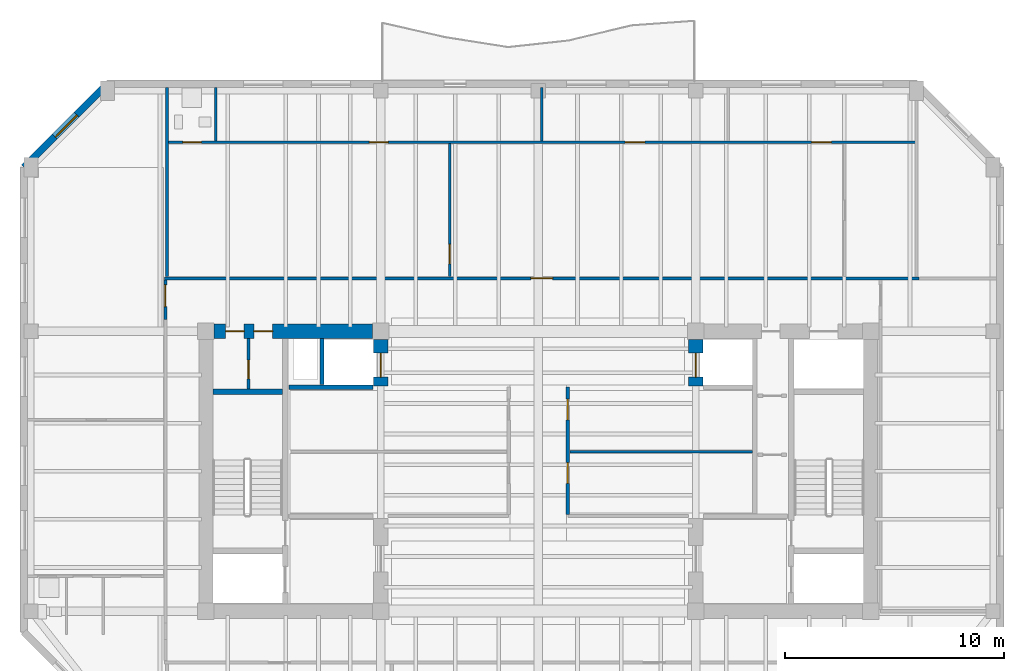
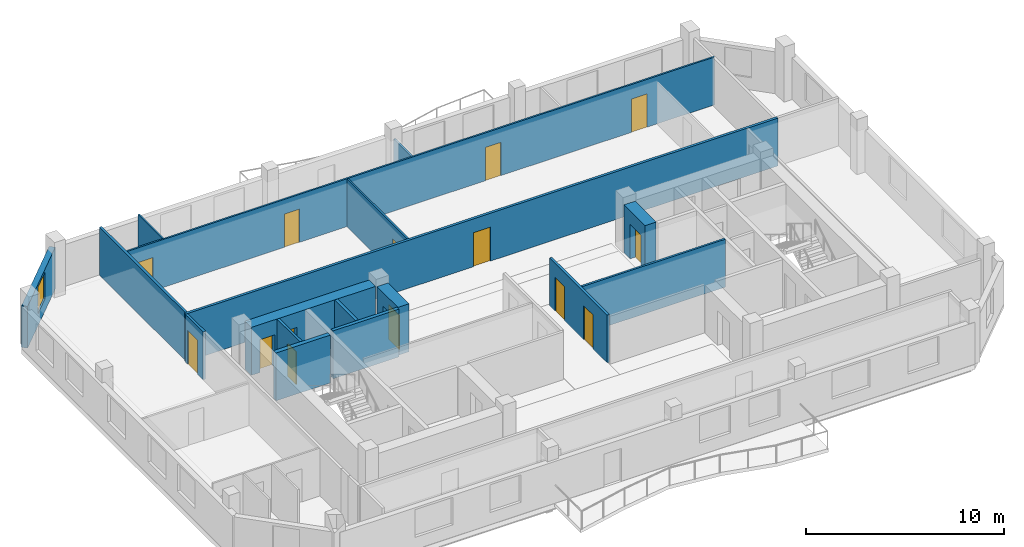
# One storey, part 4 of 10: 17 walls, 14 doors, 1 window, 15 openings.
"""IFC4 building model written with IfcOpenShell, lengths in metres."""

from ifc_helpers import new_model, si_unit, direction, frame, frame_2d, origin, place, context, subcontext, project, spatial, rectangle, extrude, material, layer, layer_set, type_object, element, fill, save


model = new_model("IFC4")

# Units and contexts
model_context = context("Model", 3, precision=1e-05, world=origin(), true_north=direction((0.0, 1.0)))
body_context = subcontext(model_context, "Body", "Model", "MODEL_VIEW")
ifc_project = project(units=[si_unit("LENGTHUNIT", "METRE"), si_unit("AREAUNIT", "SQUARE_METRE"), si_unit("VOLUMEUNIT", "CUBIC_METRE"), si_unit("PLANEANGLEUNIT", "RADIAN"), si_unit("MASSUNIT", "GRAM", prefix="KILO")], contexts=[model_context])

# Site, building, storey
site_placement = place(None, origin())
site = spatial("IfcSite", under=ifc_project, at=site_placement, CompositionType="ELEMENT")
building_placement = place(site_placement, origin())
building = spatial("IfcBuilding", under=site, at=building_placement, Name="Kranthara Brick Stack", CompositionType="ELEMENT")
storey_placement = place(building_placement, frame((0.0, 0.0, 278.89990234375)))
storey = spatial("IfcBuildingStorey", under=building, at=storey_placement, Name="L74", CompositionType="ELEMENT", Elevation=278.89990234375)

# Wall, opening, window
ifc_material_1 = material(Name="Warm buff clay brick masonry M15", Category="masonry")
ifc_layer_1 = layer(ifc_material_1, 0.320068359375)
ifc_layer_set_1 = layer_set([ifc_layer_1], Name="Warm buff clay brick masonry M15")
wall_type_1 = type_object("IfcWallType", Name="WL-BRK-UPPR-320", PredefinedType="STANDARD", material=ifc_layer_set_1)
wall_1_placement = place(storey_placement, frame((4.47998046875, 41.10009765625, 0.0), z_axis=(0.0, 0.0, 1.0), x_axis=(0.70712937715, 0.707084184501, 0.0)))
wall_1 = element("IfcWall", 1, at=wall_1_placement, inside=storey, type_object=wall_type_1, Name="L74 Exterior Brick Facade Wall NW 1", PredefinedType="STANDARD", context=body_context, shape_type="SweptSolid", body=[
    extrude(rectangle(XDim=5.402099609375, YDim=0.320068359375, at=frame_2d((2.701171875, 0.0))), origin(), (0.0, 0.0, 1.0), 2.5751953125),
])
opening_1_placement = place(wall_1_placement, frame((2.0009765625, 0.0, 0.75)))
opening_1 = element("IfcOpeningElement", 2, at=opening_1_placement, cuts=wall_1, Name="Opening WN10", PredefinedType="OPENING", context=body_context, shape_type="SweptSolid", body=[
    extrude(rectangle(XDim=1.39990234375, YDim=1.64990234375, at=frame_2d((0.699951171875, 0.824951171875))), frame((0.0, 0.169921875, 0.0), z_axis=(0.0, -1.0, 0.0), x_axis=(1.0, 0.0, 0.0)), (0.0, 0.0, 1.0), 0.340087890625),
])
ifc_material_2 = material(Name="Double-glazed low-E solar control glass", Category="glass")
window_type = type_object("IfcWindowType", Name="WN-CHM-1400x1750", PartitioningType="SINGLE_PANEL", PredefinedType="WINDOW", material=ifc_material_2)
window_placement = place(opening_1_placement, origin())
window = element("IfcWindow", 3, at=window_placement, inside=storey, type_object=window_type, Name="L74 NW Chamfer Corner Window", OverallHeight=1.64990234375, OverallWidth=1.39990234375, PartitioningType="SINGLE_PANEL", PredefinedType="WINDOW", context=body_context, shape_type="SweptSolid", body=[
    extrude(rectangle(XDim=1.39990234375, YDim=1.64990234375, at=frame_2d((0.699951171875, 0.824951171875))), frame((0.0, -0.010009765625, 0.0), z_axis=(0.0, -1.0, 0.0), x_axis=(1.0, 0.0, 0.0)), (0.0, 0.0, 1.0), 0.06005859375),
])
fill(opening_1, window)

# Wall
ifc_material_3 = material(Name="Concrete C50/60", Category="concrete")
ifc_layer_2 = layer(ifc_material_3, 0.25)
ifc_layer_set_2 = layer_set([ifc_layer_2], Name="Concrete C50/60")
wall_type_2 = type_object("IfcWallType", Name="WL-CORE-250", PredefinedType="SHEAR", material=ifc_layer_set_2)
wall_2_placement = place(storey_placement, frame((13.135009765625, 30.830078125, 0.0), z_axis=(0.0, 0.0, 1.0), x_axis=(1.0, 0.0, 0.0)))
element("IfcWall", 4, at=wall_2_placement, inside=storey, type_object=wall_type_2, Name="L74 West Stairwell Bearing Wall WST", PredefinedType="SHEAR", context=body_context, shape_type="SweptSolid", body=[
    extrude(rectangle(XDim=3.175048828125, YDim=0.25, at=frame_2d((1.58740234375, 0.0))), origin(), (0.0, 0.0, 1.0), 2.9501953125),
])

# Wall, openings, doors
ifc_material_4 = material(Name="Concrete C60/75", Category="concrete")
ifc_layer_3 = layer(ifc_material_4, 0.64990234375)
ifc_layer_set_3 = layer_set([ifc_layer_3], Name="Concrete C60/75")
wall_type_3 = type_object("IfcWallType", Name="WL-CORE-650", PredefinedType="SHEAR", material=ifc_layer_set_3)
wall_3_placement = place(storey_placement, frame((13.179931640625, 33.60009765625, 0.0), z_axis=(0.0, 0.0, 1.0), x_axis=(1.0, 0.0, 0.0)))
wall_3 = element("IfcWall", 5, at=wall_3_placement, inside=storey, type_object=wall_type_3, Name="L74 West Core Shear Wall North", PredefinedType="SHEAR", context=body_context, shape_type="SweptSolid", body=[
    extrude(rectangle(XDim=7.239990234375, YDim=0.64990234375, at=frame_2d((3.6201171875, 0.0))), origin(), (0.0, 0.0, 1.0), 2.9501953125),
])
opening_2_placement = place(wall_3_placement, frame((0.52001953125, 0.0, 0.0)))
opening_2 = element("IfcOpeningElement", 6, at=opening_2_placement, cuts=wall_3, Name="Opening D10", PredefinedType="OPENING", context=body_context, shape_type="SweptSolid", body=[
    extrude(rectangle(XDim=0.85009765625, YDim=2.02001953125, at=frame_2d((0.425048828125, 1.010009765625))), frame((0.0, 0.3349609375, 0.0), z_axis=(0.0, -1.0, 0.0), x_axis=(1.0, 0.0, 0.0)), (0.0, 0.0, 1.0), 0.669921875),
])
opening_3_placement = place(wall_3_placement, frame((1.820068359375, 0.0, 0.0)))
opening_3 = element("IfcOpeningElement", 7, at=opening_3_placement, cuts=wall_3, Name="Opening D10", PredefinedType="OPENING", context=body_context, shape_type="SweptSolid", body=[
    extrude(rectangle(XDim=0.85009765625, YDim=2.02001953125, at=frame_2d((0.425048828125, 1.010009765625))), frame((0.0, 0.3349609375, 0.0), z_axis=(0.0, -1.0, 0.0), x_axis=(1.0, 0.0, 0.0)), (0.0, 0.0, 1.0), 0.669921875),
])
ifc_material_5 = material(Name="Solid-core hardwood timber leaf in steel frame", Category="steel")
door_type_1 = type_object("IfcDoorType", Name="DR-RSR-850", OperationType="NOTDEFINED", PredefinedType="DOOR", material=ifc_material_5)
door_1_placement = place(opening_2_placement, origin())
door_1 = element("IfcDoor", 8, at=door_1_placement, inside=storey, type_object=door_type_1, Name="L74 West Core Service Door 1", OperationType="SINGLE_SWING_LEFT", OverallHeight=2.02001953125, OverallWidth=0.85009765625, PredefinedType="DOOR", context=body_context, shape_type="SweptSolid", body=[
    extrude(rectangle(XDim=0.85009765625, YDim=2.02001953125, at=frame_2d((0.425048828125, 1.010009765625))), frame((0.0, 0.02490234375, 0.0), z_axis=(0.0, -1.0, 0.0), x_axis=(1.0, 0.0, 0.0)), (0.0, 0.0, 1.0), 0.050048828125),
])
fill(opening_2, door_1)
door_2_placement = place(opening_3_placement, origin())
door_2 = element("IfcDoor", 9, at=door_2_placement, inside=storey, type_object=door_type_1, Name="L74 West Core Service Door 2", OperationType="SINGLE_SWING_RIGHT", OverallHeight=2.02001953125, OverallWidth=0.85009765625, PredefinedType="DOOR", context=body_context, shape_type="SweptSolid", body=[
    extrude(rectangle(XDim=0.85009765625, YDim=2.02001953125, at=frame_2d((0.425048828125, 1.010009765625))), frame((0.0, 0.02490234375, 0.0), z_axis=(0.0, -1.0, 0.0), x_axis=(1.0, 0.0, 0.0)), (0.0, 0.0, 1.0), 0.050048828125),
])
fill(opening_3, door_2)

# Wall, opening, door
wall_4_placement = place(storey_placement, frame((20.800048828125, 31.10009765625, 0.0), z_axis=(0.0, 0.0, 1.0), x_axis=(0.0, 1.0, 0.0)))
wall_4 = element("IfcWall", 10, at=wall_4_placement, inside=storey, type_object=wall_type_3, Name="L74 West Core High-Rise Lift Wall", PredefinedType="SHEAR", context=body_context, shape_type="SweptSolid", body=[
    extrude(rectangle(XDim=2.119873046875, YDim=0.64990234375, at=frame_2d((1.06005859375, 0.0))), origin(), (0.0, 0.0, 1.0), 2.9501953125),
])
opening_4_placement = place(wall_4_placement, frame((0.39990234375, 0.0, 0.0)))
opening_4 = element("IfcOpeningElement", 11, at=opening_4_placement, cuts=wall_4, Name="Opening LD02", PredefinedType="OPENING", context=body_context, shape_type="SweptSolid", body=[
    extrude(rectangle(XDim=1.10009765625, YDim=2.10009765625, at=frame_2d((0.550048828125, 1.050048828125))), frame((0.0, 0.3349609375, 0.0), z_axis=(0.0, -1.0, 0.0), x_axis=(1.0, 0.0, 0.0)), (0.0, 0.0, 1.0), 0.669921875),
])
ifc_material_6 = material(Name="Stainless steel sliding landing door", Category="steel")
door_type_2 = type_object("IfcDoorType", Name="DR-LD-PL1100", OperationType="DOUBLE_DOOR_SLIDING", PredefinedType="DOOR", material=ifc_material_6)
door_3_placement = place(opening_4_placement, origin())
door_3 = element("IfcDoor", 12, at=door_3_placement, inside=storey, type_object=door_type_2, Name="L74 PL-07 Lift Landing Door", OperationType="DOUBLE_DOOR_SLIDING", OverallHeight=2.10009765625, OverallWidth=1.10009765625, PredefinedType="DOOR", context=body_context, shape_type="SweptSolid", body=[
    extrude(rectangle(XDim=1.10009765625, YDim=2.10009765625, at=frame_2d((0.550048828125, 1.050048828125))), frame((0.0, 0.02490234375, 0.0), z_axis=(0.0, -1.0, 0.0), x_axis=(1.0, 0.0, 0.0)), (0.0, 0.0, 1.0), 0.050048828125),
])
fill(opening_4, door_3)

wall_5_placement = place(storey_placement, frame((35.199951171875, 31.10009765625, 0.0), z_axis=(0.0, 0.0, 1.0), x_axis=(0.0, 1.0, 0.0)))
wall_5 = element("IfcWall", 13, at=wall_5_placement, inside=storey, type_object=wall_type_3, Name="L74 East Core High-Rise Lift Wall", PredefinedType="SHEAR", context=body_context, shape_type="SweptSolid", body=[
    extrude(rectangle(XDim=2.119873046875, YDim=0.64990234375, at=frame_2d((1.06005859375, 0.0))), origin(), (0.0, 0.0, 1.0), 2.9501953125),
])
opening_5_placement = place(wall_5_placement, frame((0.39990234375, 0.0, 0.0)))
opening_5 = element("IfcOpeningElement", 14, at=opening_5_placement, cuts=wall_5, Name="Opening LD02", PredefinedType="OPENING", context=body_context, shape_type="SweptSolid", body=[
    extrude(rectangle(XDim=1.10009765625, YDim=2.10009765625, at=frame_2d((0.550048828125, 1.050048828125))), frame((0.0, 0.3349609375, 0.0), z_axis=(0.0, -1.0, 0.0), x_axis=(1.0, 0.0, 0.0)), (0.0, 0.0, 1.0), 0.669921875),
])
door_4_placement = place(opening_5_placement, origin())
door_4 = element("IfcDoor", 15, at=door_4_placement, inside=storey, type_object=door_type_2, Name="L74 PL-08 Lift Landing Door", OperationType="DOUBLE_DOOR_SLIDING", OverallHeight=2.10009765625, OverallWidth=1.10009765625, PredefinedType="DOOR", context=body_context, shape_type="SweptSolid", body=[
    extrude(rectangle(XDim=1.10009765625, YDim=2.10009765625, at=frame_2d((0.550048828125, 1.050048828125))), frame((0.0, 0.02490234375, 0.0), z_axis=(0.0, -1.0, 0.0), x_axis=(1.0, 0.0, 0.0)), (0.0, 0.0, 1.0), 0.050048828125),
])
fill(opening_5, door_4)

# Wall, openings, doors
ifc_material_7 = material(Name="Moisture-resistant wet-room partition", Category="other")
ifc_layer_4 = layer(ifc_material_7, 0.10009765625)
ifc_layer_set_4 = layer_set([ifc_layer_4], Name="Moisture-resistant wet-room partition")
wall_type_4 = type_object("IfcWallType", Name="WL-PART-100", PredefinedType="PARTITIONING", material=ifc_layer_set_4)
wall_6_placement = place(storey_placement, frame((11.10009765625, 42.25, 0.0), z_axis=(0.0, 0.0, 1.0), x_axis=(1.0, 0.0, 0.0)))
wall_6 = element("IfcWall", 16, at=wall_6_placement, inside=storey, type_object=wall_type_4, Name="L74 Interior Partition 016", PredefinedType="PARTITIONING", context=body_context, shape_type="SweptSolid", body=[
    extrude(rectangle(XDim=34.239990234375, YDim=0.10009765625, at=frame_2d((17.1201171875, 0.0))), origin(), (0.0, 0.0, 1.0), 2.9501953125),
])
opening_6_placement = place(wall_6_placement, frame((0.64990234375, 0.0, 0.0)))
opening_6 = element("IfcOpeningElement", 17, at=opening_6_placement, cuts=wall_6, Name="Opening D17", PredefinedType="OPENING", context=body_context, shape_type="SweptSolid", body=[
    extrude(rectangle(XDim=0.85009765625, YDim=2.050048828125, at=frame_2d((0.425048828125, 1.02490234375))), frame((0.0, 0.06005859375, 0.0), z_axis=(0.0, -1.0, 0.0), x_axis=(1.0, 0.0, 0.0)), (0.0, 0.0, 1.0), 0.1201171875),
])
opening_7_placement = place(wall_6_placement, frame((9.179931640625, 0.0, 0.0)))
opening_7 = element("IfcOpeningElement", 18, at=opening_7_placement, cuts=wall_6, Name="Opening D16", PredefinedType="OPENING", context=body_context, shape_type="SweptSolid", body=[
    extrude(rectangle(XDim=0.85009765625, YDim=2.050048828125, at=frame_2d((0.425048828125, 1.02490234375))), frame((0.0, 0.06005859375, 0.0), z_axis=(0.0, -1.0, 0.0), x_axis=(1.0, 0.0, 0.0)), (0.0, 0.0, 1.0), 0.1201171875),
])
opening_8_placement = place(wall_6_placement, frame((20.875, 0.0, 0.0)))
opening_8 = element("IfcOpeningElement", 19, at=opening_8_placement, cuts=wall_6, Name="Opening D15", PredefinedType="OPENING", context=body_context, shape_type="SweptSolid", body=[
    extrude(rectangle(XDim=0.89990234375, YDim=2.050048828125, at=frame_2d((0.449951171875, 1.02490234375))), frame((0.0, 0.06005859375, 0.0), z_axis=(0.0, -1.0, 0.0), x_axis=(1.0, 0.0, 0.0)), (0.0, 0.0, 1.0), 0.1201171875),
])
opening_9_placement = place(wall_6_placement, frame((29.405029296875, 0.0, 0.0)))
opening_9 = element("IfcOpeningElement", 20, at=opening_9_placement, cuts=wall_6, Name="Opening D15", PredefinedType="OPENING", context=body_context, shape_type="SweptSolid", body=[
    extrude(rectangle(XDim=0.89990234375, YDim=2.050048828125, at=frame_2d((0.449951171875, 1.02490234375))), frame((0.0, 0.06005859375, 0.0), z_axis=(0.0, -1.0, 0.0), x_axis=(1.0, 0.0, 0.0)), (0.0, 0.0, 1.0), 0.1201171875),
])
ifc_material_8 = material(Name="Solid-core hardwood timber leaf in steel frame", Category="steel")
door_type_3 = type_object("IfcDoorType", Name="DR-INT-850", OperationType="NOTDEFINED", PredefinedType="DOOR", material=ifc_material_8)
door_5_placement = place(opening_7_placement, origin())
door_5 = element("IfcDoor", 21, at=door_5_placement, inside=storey, type_object=door_type_3, Name="L74 Unit L74A Kitchen 14", OperationType="SINGLE_SWING_RIGHT", OverallHeight=2.050048828125, OverallWidth=0.85009765625, PredefinedType="DOOR", context=body_context, shape_type="SweptSolid", body=[
    extrude(rectangle(XDim=0.85009765625, YDim=2.050048828125, at=frame_2d((0.425048828125, 1.02490234375))), frame((0.0, 0.02490234375, 0.0), z_axis=(0.0, -1.0, 0.0), x_axis=(1.0, 0.0, 0.0)), (0.0, 0.0, 1.0), 0.050048828125),
])
fill(opening_7, door_5)
ifc_material_9 = material(Name="Solid-core hardwood timber leaf in steel frame", Category="steel")
door_type_4 = type_object("IfcDoorType", Name="DR-INT-900", OperationType="NOTDEFINED", PredefinedType="DOOR", material=ifc_material_9)
door_6_placement = place(opening_8_placement, origin())
door_6 = element("IfcDoor", 22, at=door_6_placement, inside=storey, type_object=door_type_4, Name="L74 Unit L74A Master Bedroom 15", OperationType="SINGLE_SWING_LEFT", OverallHeight=2.050048828125, OverallWidth=0.89990234375, PredefinedType="DOOR", context=body_context, shape_type="SweptSolid", body=[
    extrude(rectangle(XDim=0.89990234375, YDim=2.050048828125, at=frame_2d((0.449951171875, 1.02490234375))), frame((0.0, 0.02490234375, 0.0), z_axis=(0.0, -1.0, 0.0), x_axis=(1.0, 0.0, 0.0)), (0.0, 0.0, 1.0), 0.050048828125),
])
fill(opening_8, door_6)
door_7_placement = place(opening_9_placement, origin())
door_7 = element("IfcDoor", 23, at=door_7_placement, inside=storey, type_object=door_type_4, Name="L74 Unit L74A Bedroom 2 16", OperationType="SINGLE_SWING_RIGHT", OverallHeight=2.050048828125, OverallWidth=0.89990234375, PredefinedType="DOOR", context=body_context, shape_type="SweptSolid", body=[
    extrude(rectangle(XDim=0.89990234375, YDim=2.050048828125, at=frame_2d((0.449951171875, 1.02490234375))), frame((0.0, 0.02490234375, 0.0), z_axis=(0.0, -1.0, 0.0), x_axis=(1.0, 0.0, 0.0)), (0.0, 0.0, 1.0), 0.050048828125),
])
fill(opening_9, door_7)
ifc_material_10 = material(Name="Solid-core hardwood timber leaf in steel frame", Category="steel")
door_type_5 = type_object("IfcDoorType", Name="DR-WET-850", OperationType="NOTDEFINED", PredefinedType="DOOR", material=ifc_material_10)
door_8_placement = place(opening_6_placement, origin())
door_8 = element("IfcDoor", 24, at=door_8_placement, inside=storey, type_object=door_type_5, Name="L74 Unit L74A Bathroom 13", OperationType="SINGLE_SWING_LEFT", OverallHeight=2.050048828125, OverallWidth=0.85009765625, PredefinedType="DOOR", context=body_context, shape_type="SweptSolid", body=[
    extrude(rectangle(XDim=0.85009765625, YDim=2.050048828125, at=frame_2d((0.425048828125, 1.02490234375))), frame((0.0, 0.02490234375, 0.0), z_axis=(0.0, -1.0, 0.0), x_axis=(1.0, 0.0, 0.0)), (0.0, 0.0, 1.0), 0.050048828125),
])
fill(opening_6, door_8)

# Wall, opening, door
wall_7_placement = place(storey_placement, frame((23.949951171875, 36.10009765625, 0.0), z_axis=(0.0, 0.0, 1.0), x_axis=(0.0, 1.0, 0.0)))
wall_7 = element("IfcWall", 25, at=wall_7_placement, inside=storey, type_object=wall_type_4, Name="L74 Interior Partition 018", PredefinedType="PARTITIONING", context=body_context, shape_type="SweptSolid", body=[
    extrude(rectangle(XDim=6.094970703125, YDim=0.10009765625, at=frame_2d((3.04736328125, 0.0))), origin(), (0.0, 0.0, 1.0), 2.9501953125),
])
opening_10_placement = place(wall_7_placement, frame((0.580078125, 0.0, 0.0)))
opening_10 = element("IfcOpeningElement", 26, at=opening_10_placement, cuts=wall_7, Name="Opening D15", PredefinedType="OPENING", context=body_context, shape_type="SweptSolid", body=[
    extrude(rectangle(XDim=0.89990234375, YDim=2.050048828125, at=frame_2d((0.449951171875, 1.02490234375))), frame((0.0, 0.06005859375, 0.0), z_axis=(0.0, -1.0, 0.0), x_axis=(1.0, 0.0, 0.0)), (0.0, 0.0, 1.0), 0.1201171875),
])
door_9_placement = place(opening_10_placement, origin())
door_9 = element("IfcDoor", 27, at=door_9_placement, inside=storey, type_object=door_type_4, Name="L74 Unit L74A Study 12", OperationType="SINGLE_SWING_RIGHT", OverallHeight=2.050048828125, OverallWidth=0.89990234375, PredefinedType="DOOR", context=body_context, shape_type="SweptSolid", body=[
    extrude(rectangle(XDim=0.89990234375, YDim=2.050048828125, at=frame_2d((0.449951171875, 1.02490234375))), frame((0.0, 0.02490234375, 0.0), z_axis=(0.0, -1.0, 0.0), x_axis=(1.0, 0.0, 0.0)), (0.0, 0.0, 1.0), 0.050048828125),
])
fill(opening_10, door_9)

# Walls
wall_8_placement = place(storey_placement, frame((13.25, 42.304931640625, 0.0), z_axis=(0.0, 0.0, 1.0), x_axis=(0.0, 1.0, 0.0)))
element("IfcWall", 28, at=wall_8_placement, inside=storey, type_object=wall_type_4, Name="L74 Interior Partition 019", PredefinedType="PARTITIONING", context=body_context, shape_type="SweptSolid", body=[
    extrude(rectangle(XDim=2.449951171875, YDim=0.10009765625, at=frame_2d((1.22509765625, 0.0))), origin(), (0.0, 0.0, 1.0), 2.9501953125),
])
wall_9_placement = place(storey_placement, frame((28.159912109375, 42.304931640625, 0.0), z_axis=(0.0, 0.0, 1.0), x_axis=(0.0, 1.0, 0.0)))
element("IfcWall", 29, at=wall_9_placement, inside=storey, type_object=wall_type_4, Name="L74 Interior Partition 020", PredefinedType="PARTITIONING", context=body_context, shape_type="SweptSolid", body=[
    extrude(rectangle(XDim=2.449951171875, YDim=0.10009765625, at=frame_2d((1.22509765625, 0.0))), origin(), (0.0, 0.0, 1.0), 2.385009765625),
])
ifc_material_11 = material(Name="Acoustic gypsum plasterboard partition", Category="other")
ifc_layer_5 = layer(ifc_material_11, 0.1201171875)
ifc_layer_set_5 = layer_set([ifc_layer_5], Name="Acoustic gypsum plasterboard partition")
wall_type_5 = type_object("IfcWallType", Name="WL-PART-120", PredefinedType="PARTITIONING", material=ifc_layer_set_5)
wall_10_placement = place(storey_placement, frame((29.449951171875, 28.10009765625, 0.0), z_axis=(0.0, 0.0, 1.0), x_axis=(1.0, 0.0, 0.0)))
element("IfcWall", 30, at=wall_10_placement, inside=storey, type_object=wall_type_5, Name="L74 Interior Partition 009", PredefinedType="PARTITIONING", context=body_context, shape_type="SweptSolid", body=[
    extrude(rectangle(XDim=8.344970703125, YDim=0.1201171875, at=frame_2d((4.17236328125, 0.0))), origin(), (0.0, 0.0, 1.0), 2.9501953125),
])

# Wall, opening, door
ifc_material_12 = material(Name="Fire-rated gypsum board partition", Category="other")
ifc_layer_6 = layer(ifc_material_12, 0.14990234375)
ifc_layer_set_6 = layer_set([ifc_layer_6], Name="Fire-rated gypsum board partition")
wall_type_6 = type_object("IfcWallType", Name="WL-PART-150", PredefinedType="PARTITIONING", material=ifc_layer_set_6)
wall_11_placement = place(storey_placement, frame((14.75, 30.9599609375, 0.0), z_axis=(0.0, 0.0, 1.0), x_axis=(0.0, 1.0, 0.0)))
wall_11 = element("IfcWall", 31, at=wall_11_placement, inside=storey, type_object=wall_type_6, Name="L74 Interior Partition 001", PredefinedType="PARTITIONING", context=body_context, shape_type="SweptSolid", body=[
    extrude(rectangle(XDim=2.31005859375, YDim=0.14990234375, at=frame_2d((1.155029296875, 0.0))), origin(), (0.0, 0.0, 1.0), 2.9501953125),
])
opening_11_placement = place(wall_11_placement, frame((0.469970703125, 0.0, 0.0)))
opening_11 = element("IfcOpeningElement", 32, at=opening_11_placement, cuts=wall_11, Name="Opening D10", PredefinedType="OPENING", context=body_context, shape_type="SweptSolid", body=[
    extrude(rectangle(XDim=0.85009765625, YDim=2.02001953125, at=frame_2d((0.425048828125, 1.010009765625))), frame((0.0, 0.0849609375, 0.0), z_axis=(0.0, -1.0, 0.0), x_axis=(1.0, 0.0, 0.0)), (0.0, 0.0, 1.0), 0.169921875),
])
door_10_placement = place(opening_11_placement, origin())
door_10 = element("IfcDoor", 33, at=door_10_placement, inside=storey, type_object=door_type_1, Name="L74 Service Interconnect 01", OperationType="SINGLE_SWING_LEFT", OverallHeight=2.02001953125, OverallWidth=0.85009765625, PredefinedType="DOOR", context=body_context, shape_type="SweptSolid", body=[
    extrude(rectangle(XDim=0.85009765625, YDim=2.02001953125, at=frame_2d((0.425048828125, 1.010009765625))), frame((0.0, 0.02490234375, 0.0), z_axis=(0.0, -1.0, 0.0), x_axis=(1.0, 0.0, 0.0)), (0.0, 0.0, 1.0), 0.050048828125),
])
fill(opening_11, door_10)

# Wall, openings, doors
wall_12_placement = place(storey_placement, frame((29.35009765625, 25.22998046875, 0.0), z_axis=(0.0, 0.0, 1.0), x_axis=(0.0, 1.0, 0.0)))
wall_12 = element("IfcWall", 34, at=wall_12_placement, inside=storey, type_object=wall_type_6, Name="L74 Interior Partition 008", PredefinedType="PARTITIONING", context=body_context, shape_type="SweptSolid", body=[
    extrude(rectangle(XDim=5.820068359375, YDim=0.14990234375, at=frame_2d((2.91015625, 0.0))), origin(), (0.0, 0.0, 1.0), 2.9501953125),
])
opening_12_placement = place(wall_12_placement, frame((1.419921875, 0.0, 0.0)))
opening_12 = element("IfcOpeningElement", 35, at=opening_12_placement, cuts=wall_12, Name="Opening D09", PredefinedType="OPENING", context=body_context, shape_type="SweptSolid", body=[
    extrude(rectangle(XDim=0.949951171875, YDim=2.10009765625, at=frame_2d((0.47509765625, 1.050048828125))), frame((0.0, 0.0849609375, 0.0), z_axis=(0.0, -1.0, 0.0), x_axis=(1.0, 0.0, 0.0)), (0.0, 0.0, 1.0), 0.169921875),
])
opening_13_placement = place(wall_12_placement, frame((4.320068359375, 0.0, 0.0)))
opening_13 = element("IfcOpeningElement", 36, at=opening_13_placement, cuts=wall_12, Name="Opening D09", PredefinedType="OPENING", context=body_context, shape_type="SweptSolid", body=[
    extrude(rectangle(XDim=0.949951171875, YDim=2.10009765625, at=frame_2d((0.47509765625, 1.050048828125))), frame((0.0, 0.0849609375, 0.0), z_axis=(0.0, -1.0, 0.0), x_axis=(1.0, 0.0, 0.0)), (0.0, 0.0, 1.0), 0.169921875),
])
ifc_material_13 = material(Name="Solid-core hardwood timber leaf in steel frame", Category="steel")
door_type_6 = type_object("IfcDoorType", Name="DR-FD-950", OperationType="NOTDEFINED", PredefinedType="DOOR", material=ifc_material_13)
door_11_placement = place(opening_12_placement, origin())
door_11 = element("IfcDoor", 37, at=door_11_placement, inside=storey, type_object=door_type_6, Name="L74 Private Tea Room 06", OperationType="SINGLE_SWING_RIGHT", OverallHeight=2.10009765625, OverallWidth=0.949951171875, PredefinedType="DOOR", context=body_context, shape_type="SweptSolid", body=[
    extrude(rectangle(XDim=0.949951171875, YDim=2.10009765625, at=frame_2d((0.47509765625, 1.050048828125))), frame((0.0, 0.02490234375, 0.0), z_axis=(0.0, -1.0, 0.0), x_axis=(1.0, 0.0, 0.0)), (0.0, 0.0, 1.0), 0.050048828125),
])
fill(opening_12, door_11)
door_12_placement = place(opening_13_placement, origin())
door_12 = element("IfcDoor", 38, at=door_12_placement, inside=storey, type_object=door_type_6, Name="L74 Private Dining Room 07", OperationType="SINGLE_SWING_LEFT", OverallHeight=2.10009765625, OverallWidth=0.949951171875, PredefinedType="DOOR", context=body_context, shape_type="SweptSolid", body=[
    extrude(rectangle(XDim=0.949951171875, YDim=2.10009765625, at=frame_2d((0.47509765625, 1.050048828125))), frame((0.0, 0.02490234375, 0.0), z_axis=(0.0, -1.0, 0.0), x_axis=(1.0, 0.0, 0.0)), (0.0, 0.0, 1.0), 0.050048828125),
])
fill(opening_13, door_12)

# Wall, opening, door
wall_13_placement = place(storey_placement, frame((10.89990234375, 36.02001953125, 0.0), z_axis=(0.0, 0.0, 1.0), x_axis=(1.0, 0.0, 0.0)))
wall_13 = element("IfcWall", 39, at=wall_13_placement, inside=storey, type_object=wall_type_6, Name="L74 Interior Partition 014", PredefinedType="PARTITIONING", context=body_context, shape_type="SweptSolid", body=[
    extrude(rectangle(XDim=34.52001953125, YDim=0.14990234375, at=frame_2d((17.260009765625, 0.0))), origin(), (0.0, 0.0, 1.0), 2.9501953125),
])
opening_14_placement = place(wall_13_placement, frame((16.760009765625, 0.0, 0.0)))
opening_14 = element("IfcOpeningElement", 40, at=opening_14_placement, cuts=wall_13, Name="Opening D08", PredefinedType="OPENING", context=body_context, shape_type="SweptSolid", body=[
    extrude(rectangle(XDim=1.0, YDim=2.10009765625, at=frame_2d((0.5, 1.050048828125))), frame((0.0, 0.0849609375, 0.0), z_axis=(0.0, -1.0, 0.0), x_axis=(1.0, 0.0, 0.0)), (0.0, 0.0, 1.0), 0.169921875),
])
ifc_material_14 = material(Name="Solid-core hardwood timber leaf in steel frame", Category="steel")
door_type_7 = type_object("IfcDoorType", Name="DR-FD-1000", OperationType="NOTDEFINED", PredefinedType="DOOR", material=ifc_material_14)
door_13_placement = place(opening_14_placement, origin())
door_13 = element("IfcDoor", 41, at=door_13_placement, inside=storey, type_object=door_type_7, Name="L74 Unit L74A Entrance 10", OperationType="SINGLE_SWING_RIGHT", OverallHeight=2.10009765625, OverallWidth=1.0, PredefinedType="DOOR", context=body_context, shape_type="SweptSolid", body=[
    extrude(rectangle(XDim=1.0, YDim=2.10009765625, at=frame_2d((0.5, 1.050048828125))), frame((0.0, 0.02490234375, 0.0), z_axis=(0.0, -1.0, 0.0), x_axis=(1.0, 0.0, 0.0)), (0.0, 0.0, 1.0), 0.050048828125),
])
fill(opening_14, door_13)

# Wall
wall_14_placement = place(storey_placement, frame((11.02001953125, 36.10009765625, 0.0), z_axis=(0.0, 0.0, 1.0), x_axis=(0.0, 1.0, 0.0)))
element("IfcWall", 42, at=wall_14_placement, inside=storey, type_object=wall_type_6, Name="L74 Interior Partition 015", PredefinedType="PARTITIONING", context=body_context, shape_type="SweptSolid", body=[
    extrude(rectangle(XDim=8.65478515625, YDim=0.14990234375, at=frame_2d((4.327392578125, 0.0))), origin(), (0.0, 0.0, 1.0), 2.9501953125),
])

# Wall, opening, door
wall_15_placement = place(storey_placement, frame((10.949951171875, 34.14990234375, 0.0), z_axis=(0.0, 0.0, 1.0), x_axis=(0.0, 1.0, 0.0)))
wall_15 = element("IfcWall", 43, at=wall_15_placement, inside=storey, type_object=wall_type_6, Name="L74 Interior Partition 026", PredefinedType="PARTITIONING", context=body_context, shape_type="SweptSolid", body=[
    extrude(rectangle(XDim=1.7900390625, YDim=0.14990234375, at=frame_2d((0.89501953125, 0.0))), origin(), (0.0, 0.0, 1.0), 2.9501953125),
])
opening_15_placement = place(wall_15_placement, frame((0.580078125, 0.0, 0.0)))
opening_15 = element("IfcOpeningElement", 44, at=opening_15_placement, cuts=wall_15, Name="Opening D08", PredefinedType="OPENING", context=body_context, shape_type="SweptSolid", body=[
    extrude(rectangle(XDim=1.0, YDim=2.10009765625, at=frame_2d((0.5, 1.050048828125))), frame((0.0, 0.0849609375, 0.0), z_axis=(0.0, -1.0, 0.0), x_axis=(1.0, 0.0, 0.0)), (0.0, 0.0, 1.0), 0.169921875),
])
door_14_placement = place(opening_15_placement, origin())
door_14 = element("IfcDoor", 45, at=door_14_placement, inside=storey, type_object=door_type_7, Name="L74 Unit L74B Entrance 17", OperationType="SINGLE_SWING_LEFT", OverallHeight=2.10009765625, OverallWidth=1.0, PredefinedType="DOOR", context=body_context, shape_type="SweptSolid", body=[
    extrude(rectangle(XDim=1.0, YDim=2.10009765625, at=frame_2d((0.5, 1.050048828125))), frame((0.0, 0.02490234375, 0.0), z_axis=(0.0, -1.0, 0.0), x_axis=(1.0, 0.0, 0.0)), (0.0, 0.0, 1.0), 0.050048828125),
])
fill(opening_15, door_14)

# Walls
ifc_material_15 = material(Name="Gypsum plasterboard on acoustic twin stud", Category="other")
ifc_layer_7 = layer(ifc_material_15, 0.179931640625)
ifc_layer_set_7 = layer_set([ifc_layer_7], Name="Gypsum plasterboard on acoustic twin stud")
wall_type_7 = type_object("IfcWallType", Name="WL-PART-180", PredefinedType="PARTITIONING", material=ifc_layer_set_7)
wall_16_placement = place(storey_placement, frame((18.1201171875, 31.169921875, 0.0), z_axis=(0.0, 0.0, 1.0), x_axis=(0.0, 1.0, 0.0)))
element("IfcWall", 46, at=wall_16_placement, inside=storey, type_object=wall_type_7, Name="L74 PL-07 Shaft Back Wall", PredefinedType="PARTITIONING", context=body_context, shape_type="SweptSolid", body=[
    extrude(rectangle(XDim=2.094970703125, YDim=0.179931640625, at=frame_2d((1.04736328125, 0.0))), origin(), (0.0, 0.0, 1.0), 2.9501953125),
])
ifc_material_16 = material(Name="Concrete C40/50", Category="concrete")
ifc_layer_8 = layer(ifc_material_16, 0.199951171875)
ifc_layer_set_8 = layer_set([ifc_layer_8], Name="Concrete C40/50")
wall_type_8 = type_object("IfcWallType", Name="WL-PART-200", PredefinedType="SOLIDWALL", material=ifc_layer_set_8)
wall_17_placement = place(storey_placement, frame((16.60009765625, 31.050048828125, 0.0), z_axis=(0.0, 0.0, 1.0), x_axis=(1.0, 0.0, 0.0)))
element("IfcWall", 47, at=wall_17_placement, inside=storey, type_object=wall_type_8, Name="L74 West Core Cross Wall WH4", PredefinedType="SOLIDWALL", context=body_context, shape_type="SweptSolid", body=[
    extrude(rectangle(XDim=3.849853515625, YDim=0.199951171875, at=frame_2d((1.9248046875, 0.0))), origin(), (0.0, 0.0, 1.0), 2.9501953125),
])

save(model, "model.ifc")
